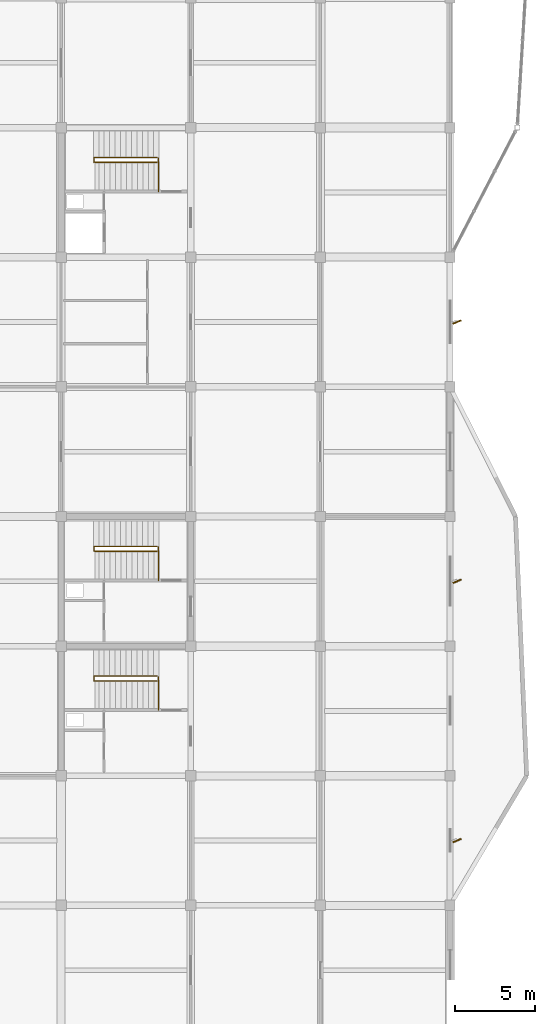
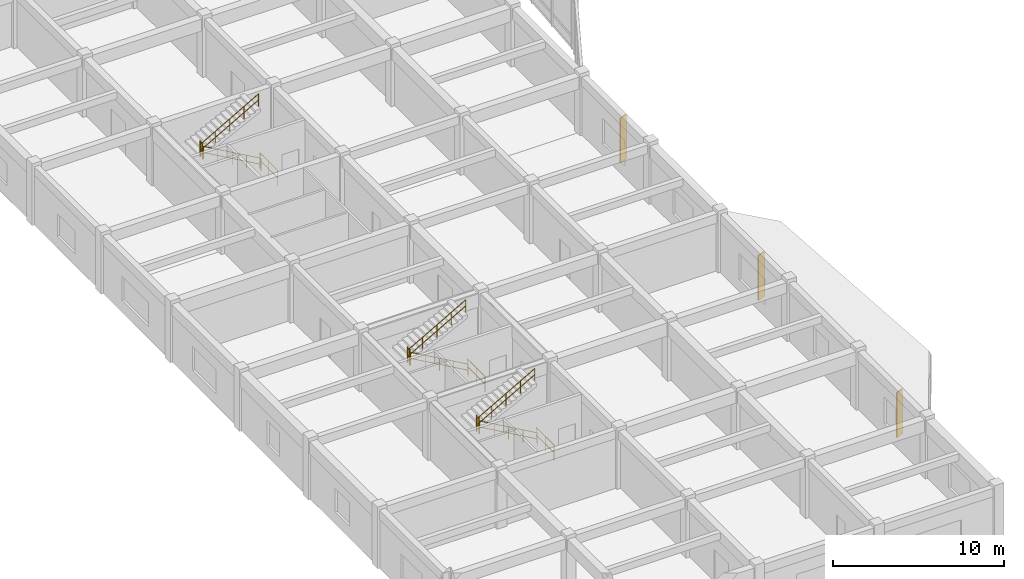
# One storey, part 41 of 42: 12 railings, 3 shading devices.
"""IFC4 building model written with IfcOpenShell, lengths in metres."""

from ifc_helpers import new_model, si_unit, direction, frame, origin, origin_2d, place, context, subcontext, project, spatial, rectangle, circle, extrude, material, type_object, element, save


model = new_model("IFC4")

# Units and contexts
model_context = context("Model", 3, precision=1e-05, world=origin(), true_north=direction((0.0, 1.0)))
body_context = subcontext(model_context, "Body", "Model", "MODEL_VIEW")
ifc_project = project(units=[si_unit("LENGTHUNIT", "METRE"), si_unit("AREAUNIT", "SQUARE_METRE"), si_unit("VOLUMEUNIT", "CUBIC_METRE"), si_unit("PLANEANGLEUNIT", "RADIAN"), si_unit("MASSUNIT", "GRAM", prefix="KILO")], contexts=[model_context])

# Site, building, storey
site_placement = place(None, origin())
site = spatial("IfcSite", under=ifc_project, at=site_placement, CompositionType="ELEMENT")
building_placement = place(site_placement, origin())
building = spatial("IfcBuilding", under=site, at=building_placement, Name="Vaudrelin Polytechnic", CompositionType="ELEMENT")
storey_placement = place(building_placement, frame((0.0, 0.0, 18.530029296875)))
storey = spatial("IfcBuildingStorey", under=building, at=storey_placement, Name="L04", CompositionType="ELEMENT", Elevation=18.530029296875)

# Shading devices
ifc_material_1 = material(Name="Anodised perforated aluminium AA 5005", Category="aluminium")
shading_device_type = type_object("IfcShadingDeviceType", Name="ENV-SF-FIN1", PredefinedType="USERDEFINED", material=ifc_material_1)
for number, where, z_axis, x_axis, name in (
    (1, (170.534912109375, 28.35009765625, 0.2001953125), (0.0, 0.0, 1.0), (0.927183854567, 0.374606593416, 0.0), "Perforated solar fin SF-035"),
    (2, (170.534912109375, 44.550048828125, 0.2001953125), (0.0, 0.0, 1.0), (0.927183854567, 0.374606593416, 0.0), "Perforated solar fin SF-036"),
    (3, (170.534912109375, 60.75, 0.2001953125), (0.0, 0.0, 1.0), (0.927183854567, 0.374606593416, 0.0), "Perforated solar fin SF-037"),
):
    element("IfcShadingDevice", number, at=place(storey_placement, frame(where, z_axis=z_axis, x_axis=x_axis)), inside=storey, type_object=shading_device_type, Name=name, ObjectType="SOLAR FIN", PredefinedType="USERDEFINED", context=body_context, shape_type="SweptSolid", body=[
        extrude(rectangle(XDim=0.550048828125, YDim=0.080078125, at=origin_2d()), origin(), (0.0, 0.0, 1.0), 3.199951171875),
    ])

# Railings
ifc_material_2 = material(Name="Brushed stainless steel AISI 304", Category="steel")
railing_type_1 = type_object("IfcRailingType", Name="RAL-GR-INT", PredefinedType="GUARDRAIL", material=ifc_material_2)
railing_1_placement = place(storey_placement, frame((151.8798828125, 68.909912109375, 0.0)))
element("IfcRailing", 4, at=railing_1_placement, inside=storey, type_object=railing_type_1, Name="ST-07-L03 upper well guardrail", PredefinedType="GUARDRAIL", context=body_context, shape_type="SweptSolid", body=[
    extrude(circle(Radius=0.02392578125, at=origin_2d()), frame((0.0, 0.023193359375, 1.09619140625), z_axis=(0.0, 1.0, 0.0), x_axis=(-1.0, 0.0, 0.0)), (0.0, 0.0, 1.0), 2.02392578125),
    extrude(circle(Radius=0.02392578125, at=origin_2d()), frame((0.0, 0.023193359375, 0.56005859375), z_axis=(0.0, 1.0, 0.0), x_axis=(-1.0, 0.0, 0.0)), (0.0, 0.0, 1.0), 2.02392578125),
    extrude(circle(Radius=0.02099609375, at=origin_2d()), origin(), (0.0, 0.0, 1.0), 1.1201171875),
    extrude(circle(Radius=0.02099609375, at=origin_2d()), frame((0.0, 1.03515625, 0.0)), (0.0, 0.0, 1.0), 1.1201171875),
    extrude(circle(Radius=0.02099609375, at=origin_2d()), frame((0.0, 2.070068359375, 0.0)), (0.0, 0.0, 1.0), 1.1201171875),
])
railing_2_placement = place(storey_placement, frame((147.85009765625, 70.739990234375, 2.2099609375)))
element("IfcRailing", 5, at=railing_2_placement, inside=storey, type_object=railing_type_1, Name="ST-07-L04 landing well guardrail", PredefinedType="GUARDRAIL", context=body_context, shape_type="SweptSolid", body=[
    extrude(circle(Radius=0.02392578125, at=origin_2d()), frame((0.0, 0.023193359375, 1.09619140625), z_axis=(0.0, 1.0, 0.0), x_axis=(-1.0, 0.0, 0.0)), (0.0, 0.0, 1.0), 0.23388671875),
    extrude(circle(Radius=0.02392578125, at=origin_2d()), frame((0.0, 0.023193359375, 0.56005859375), z_axis=(0.0, 1.0, 0.0), x_axis=(-1.0, 0.0, 0.0)), (0.0, 0.0, 1.0), 0.23388671875),
    extrude(circle(Radius=0.02099609375, at=origin_2d()), origin(), (0.0, 0.0, 1.0), 1.1201171875),
    extrude(circle(Radius=0.02099609375, at=origin_2d()), frame((0.0, 0.280029296875, 0.0)), (0.0, 0.0, 1.0), 1.1201171875),
])
railing_3_placement = place(storey_placement, frame((151.8798828125, 36.510009765625, 0.0)))
element("IfcRailing", 6, at=railing_3_placement, inside=storey, type_object=railing_type_1, Name="ST-08-L03 upper well guardrail", PredefinedType="GUARDRAIL", context=body_context, shape_type="SweptSolid", body=[
    extrude(circle(Radius=0.02392578125, at=origin_2d()), frame((0.0, 0.023193359375, 1.09619140625), z_axis=(0.0, 1.0, 0.0), x_axis=(-1.0, 0.0, 0.0)), (0.0, 0.0, 1.0), 2.02392578125),
    extrude(circle(Radius=0.02392578125, at=origin_2d()), frame((0.0, 0.023193359375, 0.56005859375), z_axis=(0.0, 1.0, 0.0), x_axis=(-1.0, 0.0, 0.0)), (0.0, 0.0, 1.0), 2.02392578125),
    extrude(circle(Radius=0.02099609375, at=origin_2d()), origin(), (0.0, 0.0, 1.0), 1.1201171875),
    extrude(circle(Radius=0.02099609375, at=origin_2d()), frame((0.0, 1.03515625, 0.0)), (0.0, 0.0, 1.0), 1.1201171875),
    extrude(circle(Radius=0.02099609375, at=origin_2d()), frame((0.0, 2.070068359375, 0.0)), (0.0, 0.0, 1.0), 1.1201171875),
])
railing_4_placement = place(storey_placement, frame((147.85009765625, 38.340087890625, 2.2099609375)))
element("IfcRailing", 7, at=railing_4_placement, inside=storey, type_object=railing_type_1, Name="ST-08-L04 landing well guardrail", PredefinedType="GUARDRAIL", context=body_context, shape_type="SweptSolid", body=[
    extrude(circle(Radius=0.02392578125, at=origin_2d()), frame((0.0, 0.023193359375, 1.09619140625), z_axis=(0.0, 1.0, 0.0), x_axis=(-1.0, 0.0, 0.0)), (0.0, 0.0, 1.0), 0.23388671875),
    extrude(circle(Radius=0.02392578125, at=origin_2d()), frame((0.0, 0.023193359375, 0.56005859375), z_axis=(0.0, 1.0, 0.0), x_axis=(-1.0, 0.0, 0.0)), (0.0, 0.0, 1.0), 0.23388671875),
    extrude(circle(Radius=0.02099609375, at=origin_2d()), origin(), (0.0, 0.0, 1.0), 1.1201171875),
    extrude(circle(Radius=0.02099609375, at=origin_2d()), frame((0.0, 0.280029296875, 0.0)), (0.0, 0.0, 1.0), 1.1201171875),
])
railing_5_placement = place(storey_placement, frame((151.8798828125, 44.610107421875, 0.0)))
element("IfcRailing", 8, at=railing_5_placement, inside=storey, type_object=railing_type_1, Name="ST-12-L03 upper well guardrail", PredefinedType="GUARDRAIL", context=body_context, shape_type="SweptSolid", body=[
    extrude(circle(Radius=0.02392578125, at=origin_2d()), frame((0.0, 0.023193359375, 1.09619140625), z_axis=(0.0, 1.0, 0.0), x_axis=(-1.0, 0.0, 0.0)), (0.0, 0.0, 1.0), 2.023681640625),
    extrude(circle(Radius=0.02392578125, at=origin_2d()), frame((0.0, 0.023193359375, 0.56005859375), z_axis=(0.0, 1.0, 0.0), x_axis=(-1.0, 0.0, 0.0)), (0.0, 0.0, 1.0), 2.023681640625),
    extrude(circle(Radius=0.02099609375, at=origin_2d()), origin(), (0.0, 0.0, 1.0), 1.1201171875),
    extrude(circle(Radius=0.02099609375, at=origin_2d()), frame((0.0, 1.034912109375, 0.0)), (0.0, 0.0, 1.0), 1.1201171875),
    extrude(circle(Radius=0.02099609375, at=origin_2d()), frame((0.0, 2.06982421875, 0.0)), (0.0, 0.0, 1.0), 1.1201171875),
])
railing_6_placement = place(storey_placement, frame((147.85009765625, 46.43994140625, 2.2099609375)))
element("IfcRailing", 9, at=railing_6_placement, inside=storey, type_object=railing_type_1, Name="ST-12-L04 landing well guardrail", PredefinedType="GUARDRAIL", context=body_context, shape_type="SweptSolid", body=[
    extrude(circle(Radius=0.02392578125, at=origin_2d()), frame((0.0, 0.023193359375, 1.09619140625), z_axis=(0.0, 1.0, 0.0), x_axis=(-1.0, 0.0, 0.0)), (0.0, 0.0, 1.0), 0.23388671875),
    extrude(circle(Radius=0.02392578125, at=origin_2d()), frame((0.0, 0.023193359375, 0.56005859375), z_axis=(0.0, 1.0, 0.0), x_axis=(-1.0, 0.0, 0.0)), (0.0, 0.0, 1.0), 0.23388671875),
    extrude(circle(Radius=0.02099609375, at=origin_2d()), origin(), (0.0, 0.0, 1.0), 1.1201171875),
    extrude(circle(Radius=0.02099609375, at=origin_2d()), frame((0.0, 0.280029296875, 0.0)), (0.0, 0.0, 1.0), 1.1201171875),
])
railing_type_2 = type_object("IfcRailingType", Name="RAL-HR-STR", PredefinedType="HANDRAIL", material=ifc_material_2)
railing_7_placement = place(storey_placement, frame((151.800048828125, 70.72998046875, 0.0)))
element("IfcRailing", 10, at=railing_7_placement, inside=storey, type_object=railing_type_2, Name="ST-07-L04 flight 1 handrail", PredefinedType="HANDRAIL", context=body_context, shape_type="SweptSolid", body=[
    extrude(circle(Radius=0.02392578125, at=origin_2d()), frame((-0.02001953125, 0.0, 0.9072265625), z_axis=(-0.869489581884, 0.0, 0.493951279981), x_axis=(0.0, -1.0, 0.0)), (0.0, 0.0, 1.0), 4.427734375),
    extrude(circle(Radius=0.02392578125, at=origin_2d()), frame((-0.02001953125, 0.0, 0.471435546875), z_axis=(-0.869489581884, 0.0, 0.493951279981), x_axis=(0.0, -1.0, 0.0)), (0.0, 0.0, 1.0), 4.427734375),
    extrude(circle(Radius=0.02099609375, at=origin_2d()), origin(), (0.0, 0.0, 1.0), 0.919921875),
    extrude(circle(Radius=0.02099609375, at=origin_2d()), frame((-0.97265625, 0.0, 0.552490234375)), (0.0, 0.0, 1.0), 0.919921875),
    extrude(circle(Radius=0.02099609375, at=origin_2d()), frame((-1.945068359375, 0.0, 1.10498046875)), (0.0, 0.0, 1.0), 0.919921875),
    extrude(circle(Radius=0.02099609375, at=origin_2d()), frame((-2.91748046875, 0.0, 1.657470703125)), (0.0, 0.0, 1.0), 0.919921875),
    extrude(circle(Radius=0.02099609375, at=origin_2d()), frame((-3.89013671875, 0.0, 2.2099609375)), (0.0, 0.0, 1.0), 0.919921875),
])
railing_8_placement = place(storey_placement, frame((147.909912109375, 71.030029296875, 2.2099609375)))
element("IfcRailing", 11, at=railing_8_placement, inside=storey, type_object=railing_type_2, Name="ST-07-L04 flight 2 handrail", PredefinedType="HANDRAIL", context=body_context, shape_type="SweptSolid", body=[
    extrude(circle(Radius=0.02392578125, at=origin_2d()), frame((0.02001953125, 0.0, 0.9072265625), z_axis=(0.869489581884, 0.0, 0.493951279981), x_axis=(0.0, 1.0, 0.0)), (0.0, 0.0, 1.0), 4.427734375),
    extrude(circle(Radius=0.02392578125, at=origin_2d()), frame((0.02001953125, 0.0, 0.471435546875), z_axis=(0.869489581884, 0.0, 0.493951279981), x_axis=(0.0, 1.0, 0.0)), (0.0, 0.0, 1.0), 4.427734375),
    extrude(circle(Radius=0.02099609375, at=origin_2d()), origin(), (0.0, 0.0, 1.0), 0.919921875),
    extrude(circle(Radius=0.02099609375, at=origin_2d()), frame((0.97265625, 0.0, 0.552490234375)), (0.0, 0.0, 1.0), 0.919921875),
    extrude(circle(Radius=0.02099609375, at=origin_2d()), frame((1.945068359375, 0.0, 1.10498046875)), (0.0, 0.0, 1.0), 0.919921875),
    extrude(circle(Radius=0.02099609375, at=origin_2d()), frame((2.91748046875, 0.0, 1.657470703125)), (0.0, 0.0, 1.0), 0.919921875),
    extrude(circle(Radius=0.02099609375, at=origin_2d()), frame((3.89013671875, 0.0, 2.2099609375)), (0.0, 0.0, 1.0), 0.919921875),
])
railing_9_placement = place(storey_placement, frame((151.800048828125, 38.330078125, 0.0)))
element("IfcRailing", 12, at=railing_9_placement, inside=storey, type_object=railing_type_2, Name="ST-08-L04 flight 1 handrail", PredefinedType="HANDRAIL", context=body_context, shape_type="SweptSolid", body=[
    extrude(circle(Radius=0.02392578125, at=origin_2d()), frame((-0.02001953125, 0.0, 0.9072265625), z_axis=(-0.869489581884, 0.0, 0.493951279981), x_axis=(0.0, -1.0, 0.0)), (0.0, 0.0, 1.0), 4.427734375),
    extrude(circle(Radius=0.02392578125, at=origin_2d()), frame((-0.02001953125, 0.0, 0.471435546875), z_axis=(-0.869489581884, 0.0, 0.493951279981), x_axis=(0.0, -1.0, 0.0)), (0.0, 0.0, 1.0), 4.427734375),
    extrude(circle(Radius=0.02099609375, at=origin_2d()), origin(), (0.0, 0.0, 1.0), 0.919921875),
    extrude(circle(Radius=0.02099609375, at=origin_2d()), frame((-0.97265625, 0.0, 0.552490234375)), (0.0, 0.0, 1.0), 0.919921875),
    extrude(circle(Radius=0.02099609375, at=origin_2d()), frame((-1.945068359375, 0.0, 1.10498046875)), (0.0, 0.0, 1.0), 0.919921875),
    extrude(circle(Radius=0.02099609375, at=origin_2d()), frame((-2.91748046875, 0.0, 1.657470703125)), (0.0, 0.0, 1.0), 0.919921875),
    extrude(circle(Radius=0.02099609375, at=origin_2d()), frame((-3.89013671875, 0.0, 2.2099609375)), (0.0, 0.0, 1.0), 0.919921875),
])
railing_10_placement = place(storey_placement, frame((147.909912109375, 38.6298828125, 2.2099609375)))
element("IfcRailing", 13, at=railing_10_placement, inside=storey, type_object=railing_type_2, Name="ST-08-L04 flight 2 handrail", PredefinedType="HANDRAIL", context=body_context, shape_type="SweptSolid", body=[
    extrude(circle(Radius=0.02392578125, at=origin_2d()), frame((0.02001953125, 0.0, 0.9072265625), z_axis=(0.869489581884, 0.0, 0.493951279981), x_axis=(0.0, 1.0, 0.0)), (0.0, 0.0, 1.0), 4.427734375),
    extrude(circle(Radius=0.02392578125, at=origin_2d()), frame((0.02001953125, 0.0, 0.471435546875), z_axis=(0.869489581884, 0.0, 0.493951279981), x_axis=(0.0, 1.0, 0.0)), (0.0, 0.0, 1.0), 4.427734375),
    extrude(circle(Radius=0.02099609375, at=origin_2d()), origin(), (0.0, 0.0, 1.0), 0.919921875),
    extrude(circle(Radius=0.02099609375, at=origin_2d()), frame((0.97265625, 0.0, 0.552490234375)), (0.0, 0.0, 1.0), 0.919921875),
    extrude(circle(Radius=0.02099609375, at=origin_2d()), frame((1.945068359375, 0.0, 1.10498046875)), (0.0, 0.0, 1.0), 0.919921875),
    extrude(circle(Radius=0.02099609375, at=origin_2d()), frame((2.91748046875, 0.0, 1.657470703125)), (0.0, 0.0, 1.0), 0.919921875),
    extrude(circle(Radius=0.02099609375, at=origin_2d()), frame((3.89013671875, 0.0, 2.2099609375)), (0.0, 0.0, 1.0), 0.919921875),
])
railing_11_placement = place(storey_placement, frame((151.800048828125, 46.429931640625, 0.0)))
element("IfcRailing", 14, at=railing_11_placement, inside=storey, type_object=railing_type_2, Name="ST-12-L04 flight 1 handrail", PredefinedType="HANDRAIL", context=body_context, shape_type="SweptSolid", body=[
    extrude(circle(Radius=0.02392578125, at=origin_2d()), frame((-0.02001953125, 0.0, 0.9072265625), z_axis=(-0.869489581884, 0.0, 0.493951279981), x_axis=(0.0, -1.0, 0.0)), (0.0, 0.0, 1.0), 4.427734375),
    extrude(circle(Radius=0.02392578125, at=origin_2d()), frame((-0.02001953125, 0.0, 0.471435546875), z_axis=(-0.869489581884, 0.0, 0.493951279981), x_axis=(0.0, -1.0, 0.0)), (0.0, 0.0, 1.0), 4.427734375),
    extrude(circle(Radius=0.02099609375, at=origin_2d()), origin(), (0.0, 0.0, 1.0), 0.919921875),
    extrude(circle(Radius=0.02099609375, at=origin_2d()), frame((-0.97265625, 0.0, 0.552490234375)), (0.0, 0.0, 1.0), 0.919921875),
    extrude(circle(Radius=0.02099609375, at=origin_2d()), frame((-1.945068359375, 0.0, 1.10498046875)), (0.0, 0.0, 1.0), 0.919921875),
    extrude(circle(Radius=0.02099609375, at=origin_2d()), frame((-2.91748046875, 0.0, 1.657470703125)), (0.0, 0.0, 1.0), 0.919921875),
    extrude(circle(Radius=0.02099609375, at=origin_2d()), frame((-3.89013671875, 0.0, 2.2099609375)), (0.0, 0.0, 1.0), 0.919921875),
])
railing_12_placement = place(storey_placement, frame((147.909912109375, 46.72998046875, 2.2099609375)))
element("IfcRailing", 15, at=railing_12_placement, inside=storey, type_object=railing_type_2, Name="ST-12-L04 flight 2 handrail", PredefinedType="HANDRAIL", context=body_context, shape_type="SweptSolid", body=[
    extrude(circle(Radius=0.02392578125, at=origin_2d()), frame((0.02001953125, 0.0, 0.9072265625), z_axis=(0.869489581884, 0.0, 0.493951279981), x_axis=(0.0, 1.0, 0.0)), (0.0, 0.0, 1.0), 4.427734375),
    extrude(circle(Radius=0.02392578125, at=origin_2d()), frame((0.02001953125, 0.0, 0.471435546875), z_axis=(0.869489581884, 0.0, 0.493951279981), x_axis=(0.0, 1.0, 0.0)), (0.0, 0.0, 1.0), 4.427734375),
    extrude(circle(Radius=0.02099609375, at=origin_2d()), origin(), (0.0, 0.0, 1.0), 0.919921875),
    extrude(circle(Radius=0.02099609375, at=origin_2d()), frame((0.97265625, 0.0, 0.552490234375)), (0.0, 0.0, 1.0), 0.919921875),
    extrude(circle(Radius=0.02099609375, at=origin_2d()), frame((1.945068359375, 0.0, 1.10498046875)), (0.0, 0.0, 1.0), 0.919921875),
    extrude(circle(Radius=0.02099609375, at=origin_2d()), frame((2.91748046875, 0.0, 1.657470703125)), (0.0, 0.0, 1.0), 0.919921875),
    extrude(circle(Radius=0.02099609375, at=origin_2d()), frame((3.89013671875, 0.0, 2.2099609375)), (0.0, 0.0, 1.0), 0.919921875),
])

save(model, "model.ifc")
